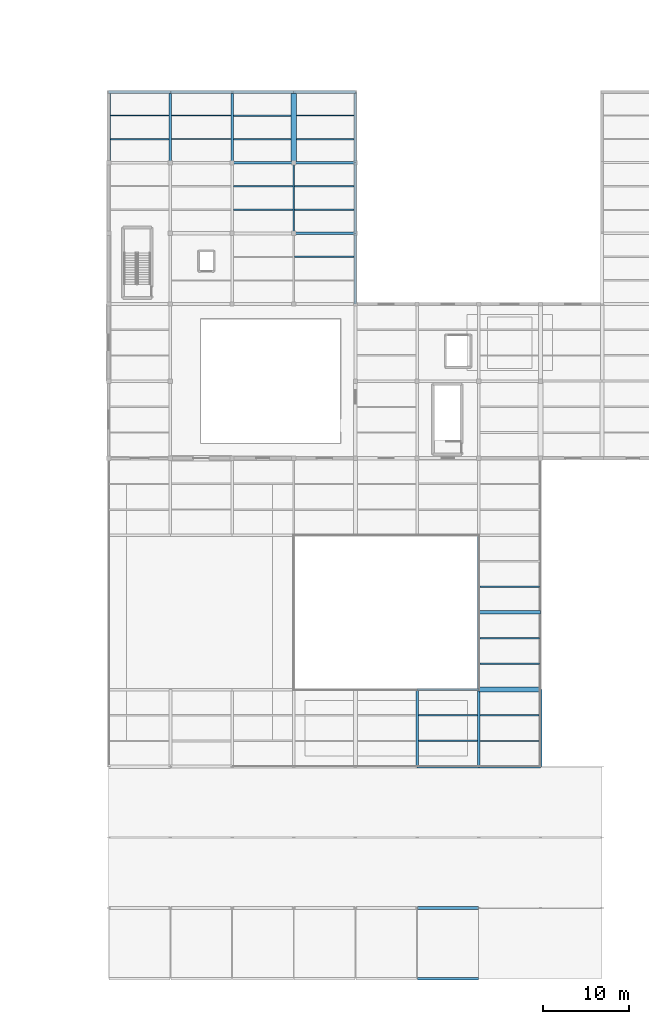
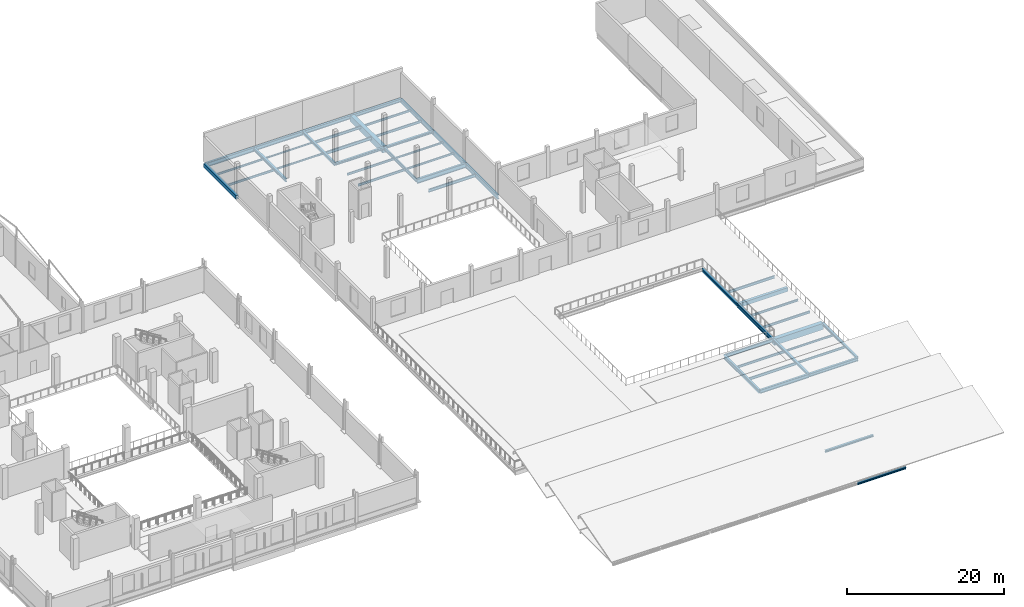
# One storey, part 18 of 54: 47 beams.
"""IFC4 building model written with IfcOpenShell, lengths in metres."""

from ifc_helpers import new_model, si_unit, direction, frame, origin, origin_2d, place, context, subcontext, project, spatial, rectangle, i_section, extrude, material, material_profile, profile_set, type_object, element, save


model = new_model("IFC4")

# Units and contexts
model_context = context("Model", 3, precision=1e-05, world=origin(), true_north=direction((0.0, 1.0)))
body_context = subcontext(model_context, "Body", "Model", "MODEL_VIEW")
ifc_project = project(units=[si_unit("LENGTHUNIT", "METRE"), si_unit("AREAUNIT", "SQUARE_METRE"), si_unit("VOLUMEUNIT", "CUBIC_METRE"), si_unit("PLANEANGLEUNIT", "RADIAN"), si_unit("MASSUNIT", "GRAM", prefix="KILO")], contexts=[model_context])

# Site, building, storey
site_placement = place(None, origin())
site = spatial("IfcSite", under=ifc_project, at=site_placement, CompositionType="ELEMENT")
building_placement = place(site_placement, origin())
building = spatial("IfcBuilding", under=site, at=building_placement, Name="Sundgate Opera House", CompositionType="ELEMENT")
storey_placement = place(building_placement, frame((0.0, 0.0, 16.800048828125)))
storey = spatial("IfcBuildingStorey", under=building, at=storey_placement, Name="L03", CompositionType="ELEMENT", Elevation=16.800048828125)

# Beams
ifc_material_1 = material(Name="Steel S355J2", Category="steel")
ifc_material_profile_1 = material_profile(ifc_material_1, i_section(OverallWidth=0.300048828125, OverallDepth=0.330078125, WebThickness=0.009521484375, FlangeThickness=0.0166015625, at=origin_2d()), Name="HEA 340")
ifc_profile_set_1 = profile_set([ifc_material_profile_1], Name="Steel S355J2")
beam_type_1 = type_object("IfcBeamType", Name="BM-GR-HEA340", PredefinedType="BEAM", material=ifc_profile_set_1)
beam_1_placement = place(storey_placement, frame((145.800048828125, 33.0, -0.47509765625), z_axis=(0.0, 1.0, 0.0), x_axis=(-1.0, 0.0, 0.0)))
element("IfcBeam", 1, at=beam_1_placement, inside=storey, type_object=beam_type_1, Name="L03 Primary N-S Girder B2556", PredefinedType="BEAM", context=body_context, shape_type="SweptSolid", body=[
    extrude(i_section(OverallWidth=0.300048828125, OverallDepth=0.330078125, WebThickness=0.009521484375, FlangeThickness=0.0166015625, at=origin_2d()), origin(), (0.0, 0.0, 1.0), 9.0),
])
beam_2_placement = place(storey_placement, frame((117.0, 103.5, -0.445068359375), z_axis=(1.0, 0.0, 0.0), x_axis=(0.0, 1.0, 0.0)))
element("IfcBeam", 2, at=beam_2_placement, inside=storey, type_object=beam_type_1, Name="L03 Primary E-W Girder B2688", PredefinedType="BEAM", context=body_context, shape_type="SweptSolid", body=[
    extrude(i_section(OverallWidth=0.300048828125, OverallDepth=0.330078125, WebThickness=0.009521484375, FlangeThickness=0.0166015625, at=origin_2d()), origin(), (0.0, 0.0, 1.0), 7.199951171875),
])
ifc_material_2 = material(Name="Steel S355J2", Category="steel")
ifc_material_profile_2 = material_profile(ifc_material_2, i_section(OverallWidth=0.300048828125, OverallDepth=0.35009765625, WebThickness=0.010009765625, FlangeThickness=0.017578125, at=origin_2d()), Name="HEA 360")
ifc_profile_set_2 = profile_set([ifc_material_profile_2], Name="Steel S355J2")
beam_type_2 = type_object("IfcBeamType", Name="BM-GR-HEA360", PredefinedType="BEAM", material=ifc_profile_set_2)
beam_3_placement = place(storey_placement, frame((109.800048828125, 103.5, -0.455078125), z_axis=(1.0, 0.0, 0.0), x_axis=(0.0, 1.0, 0.0)))
element("IfcBeam", 3, at=beam_3_placement, inside=storey, type_object=beam_type_2, Name="L03 Primary E-W Girder B2687", PredefinedType="BEAM", context=body_context, shape_type="SweptSolid", body=[
    extrude(i_section(OverallWidth=0.300048828125, OverallDepth=0.35009765625, WebThickness=0.010009765625, FlangeThickness=0.017578125, at=origin_2d()), origin(), (0.0, 0.0, 1.0), 7.199951171875),
])
ifc_material_3 = material(Name="Steel S355J2", Category="steel")
ifc_material_profile_3 = material_profile(ifc_material_3, i_section(OverallWidth=0.300048828125, OverallDepth=0.43994140625, WebThickness=0.011474609375, FlangeThickness=0.02099609375, at=origin_2d()), Name="HEA 450")
ifc_profile_set_3 = profile_set([ifc_material_profile_3], Name="Steel S355J2")
beam_type_3 = type_object("IfcBeamType", Name="BM-GR-HEA450", PredefinedType="BEAM", material=ifc_profile_set_3)
beam_4_placement = place(storey_placement, frame((109.800048828125, 103.5, -0.5), z_axis=(0.0, 1.0, 0.0), x_axis=(-1.0, 0.0, 0.0)))
element("IfcBeam", 4, at=beam_4_placement, inside=storey, type_object=beam_type_3, Name="L03 Primary N-S Girder B2531", PredefinedType="BEAM", context=body_context, shape_type="SweptSolid", body=[
    extrude(i_section(OverallWidth=0.300048828125, OverallDepth=0.43994140625, WebThickness=0.011474609375, FlangeThickness=0.02099609375, at=origin_2d()), origin(), (0.0, 0.0, 1.0), 8.25),
])
ifc_material_4 = material(Name="Steel S355J2", Category="steel")
ifc_material_profile_4 = material_profile(ifc_material_4, i_section(OverallWidth=0.300048828125, OverallDepth=0.489990234375, WebThickness=0.011962890625, FlangeThickness=0.02294921875, at=origin_2d()), Name="HEA 500")
ifc_profile_set_4 = profile_set([ifc_material_profile_4], Name="Steel S355J2")
beam_type_4 = type_object("IfcBeamType", Name="BM-GR-HEA500", PredefinedType="BEAM", material=ifc_profile_set_4)
beam_5_placement = place(storey_placement, frame((138.60009765625, 51.0, -0.554931640625), z_axis=(0.0, 1.0, 0.0), x_axis=(-1.0, 0.0, 0.0)))
element("IfcBeam", 5, at=beam_5_placement, inside=storey, type_object=beam_type_4, Name="L03 Primary N-S Girder B2552", PredefinedType="BEAM", context=body_context, shape_type="SweptSolid", body=[
    extrude(i_section(OverallWidth=0.300048828125, OverallDepth=0.489990234375, WebThickness=0.011962890625, FlangeThickness=0.02294921875, at=origin_2d()), origin(), (0.0, 0.0, 1.0), 9.0),
])
ifc_material_5 = material(Name="Steel S355J2", Category="steel")
ifc_material_profile_5 = material_profile(ifc_material_5, i_section(OverallWidth=0.300048828125, OverallDepth=0.590087890625, WebThickness=0.012939453125, FlangeThickness=0.02490234375, at=origin_2d()), Name="HEA 600")
ifc_profile_set_5 = profile_set([ifc_material_profile_5], Name="Steel S355J2")
beam_type_5 = type_object("IfcBeamType", Name="BM-GR-HEA600", PredefinedType="BEAM", material=ifc_profile_set_5)
beam_6_placement = place(storey_placement, frame((138.60009765625, 42.0, -0.60498046875), z_axis=(0.0, 1.0, 0.0), x_axis=(-1.0, 0.0, 0.0)))
element("IfcBeam", 6, at=beam_6_placement, inside=storey, type_object=beam_type_5, Name="L03 Primary N-S Girder B2551", PredefinedType="BEAM", context=body_context, shape_type="SweptSolid", body=[
    extrude(i_section(OverallWidth=0.300048828125, OverallDepth=0.590087890625, WebThickness=0.012939453125, FlangeThickness=0.02490234375, at=origin_2d()), origin(), (0.0, 0.0, 1.0), 9.0),
])
ifc_material_6 = material(Name="Steel S355J2", Category="steel")
ifc_material_profile_6 = material_profile(ifc_material_6, i_section(OverallWidth=0.300048828125, OverallDepth=0.360107421875, WebThickness=0.012451171875, FlangeThickness=0.0224609375, at=origin_2d()), Name="HEB 360")
ifc_profile_set_6 = profile_set([ifc_material_profile_6], Name="Steel S355J2")
beam_type_6 = type_object("IfcBeamType", Name="BM-GR-HEB360", PredefinedType="BEAM", material=ifc_profile_set_6)
beam_7_placement = place(storey_placement, frame((138.60009765625, 33.0, -0.489990234375), z_axis=(0.0, 1.0, 0.0), x_axis=(-1.0, 0.0, 0.0)))
element("IfcBeam", 7, at=beam_7_placement, inside=storey, type_object=beam_type_6, Name="L03 Primary N-S Girder B2550", PredefinedType="BEAM", context=body_context, shape_type="SweptSolid", body=[
    extrude(i_section(OverallWidth=0.300048828125, OverallDepth=0.360107421875, WebThickness=0.012451171875, FlangeThickness=0.0224609375, at=origin_2d()), origin(), (0.0, 0.0, 1.0), 9.0),
])
ifc_material_7 = material(Name="Steel S355J2", Category="steel")
ifc_material_profile_7 = material_profile(ifc_material_7, i_section(OverallWidth=0.300048828125, OverallDepth=0.449951171875, WebThickness=0.013916015625, FlangeThickness=0.02587890625, at=origin_2d()), Name="HEB 450")
ifc_profile_set_7 = profile_set([ifc_material_profile_7], Name="Steel S355J2")
beam_type_7 = type_object("IfcBeamType", Name="BM-GR-HEB450", PredefinedType="BEAM", material=ifc_profile_set_7)
beam_8_placement = place(storey_placement, frame((102.60009765625, 103.5, -0.505126953125), z_axis=(0.0, 1.0, 0.0), x_axis=(-1.0, 0.0, 0.0)))
element("IfcBeam", 8, at=beam_8_placement, inside=storey, type_object=beam_type_7, Name="L03 Primary N-S Girder B2526", PredefinedType="BEAM", context=body_context, shape_type="SweptSolid", body=[
    extrude(i_section(OverallWidth=0.300048828125, OverallDepth=0.449951171875, WebThickness=0.013916015625, FlangeThickness=0.02587890625, at=origin_2d()), origin(), (0.0, 0.0, 1.0), 8.25),
])
ifc_material_8 = material(Name="Steel S355J2", Category="steel")
ifc_material_profile_8 = material_profile(ifc_material_8, i_section(OverallWidth=0.300048828125, OverallDepth=0.5, WebThickness=0.014404296875, FlangeThickness=0.028076171875, at=origin_2d()), Name="HEB 500")
ifc_profile_set_8 = profile_set([ifc_material_profile_8], Name="Steel S355J2")
beam_type_8 = type_object("IfcBeamType", Name="BM-GR-HEB500", PredefinedType="BEAM", material=ifc_profile_set_8)
for number, where, z_axis, x_axis, name in (
    (9, (138.60009765625, 33.0, -0.56005859375), (1.0, 0.0, 0.0), (0.0, 1.0, 0.0), "L03 Primary E-W Girder B2591"),
    (10, (117.0, 111.75, -0.530029296875), (1.0, 0.0, 0.0), (0.0, 1.0, 0.0), "L03 Primary E-W Girder B2701"),
):
    element("IfcBeam", number, at=place(storey_placement, frame(where, z_axis=z_axis, x_axis=x_axis)), inside=storey, type_object=beam_type_8, Name=name, PredefinedType="BEAM", context=body_context, shape_type="SweptSolid", body=[
        extrude(i_section(OverallWidth=0.300048828125, OverallDepth=0.5, WebThickness=0.014404296875, FlangeThickness=0.028076171875, at=origin_2d()), origin(), (0.0, 0.0, 1.0), 7.199951171875),
    ])
ifc_material_9 = material(Name="Steel S355J2", Category="steel")
ifc_material_profile_9 = material_profile(ifc_material_9, i_section(OverallWidth=0.300048828125, OverallDepth=0.550048828125, WebThickness=0.014892578125, FlangeThickness=0.029052734375, at=origin_2d()), Name="HEB 550")
ifc_profile_set_9 = profile_set([ifc_material_profile_9], Name="Steel S355J2")
beam_type_9 = type_object("IfcBeamType", Name="BM-GR-HEB550", PredefinedType="BEAM", material=ifc_profile_set_9)
beam_9_placement = place(storey_placement, frame((131.39990234375, 33.0, -0.5849609375), z_axis=(0.0, 1.0, 0.0), x_axis=(-1.0, 0.0, 0.0)))
element("IfcBeam", 11, at=beam_9_placement, inside=storey, type_object=beam_type_9, Name="L03 Primary N-S Girder B2546", PredefinedType="BEAM", context=body_context, shape_type="SweptSolid", body=[
    extrude(i_section(OverallWidth=0.300048828125, OverallDepth=0.550048828125, WebThickness=0.014892578125, FlangeThickness=0.029052734375, at=origin_2d()), origin(), (0.0, 0.0, 1.0), 9.0),
])
beam_10_placement = place(storey_placement, frame((131.39990234375, 33.0, -0.5849609375), z_axis=(1.0, 0.0, 0.0), x_axis=(0.0, 1.0, 0.0)))
element("IfcBeam", 12, at=beam_10_placement, inside=storey, type_object=beam_type_9, Name="L03 Primary E-W Girder B2590", PredefinedType="BEAM", context=body_context, shape_type="SweptSolid", body=[
    extrude(i_section(OverallWidth=0.300048828125, OverallDepth=0.550048828125, WebThickness=0.014892578125, FlangeThickness=0.029052734375, at=origin_2d()), origin(), (0.0, 0.0, 1.0), 7.2001953125),
])
beam_11_placement = place(storey_placement, frame((109.800048828125, 111.75, -0.554931640625), z_axis=(1.0, 0.0, 0.0), x_axis=(0.0, 1.0, 0.0)))
element("IfcBeam", 13, at=beam_11_placement, inside=storey, type_object=beam_type_9, Name="L03 Primary E-W Girder B2700", PredefinedType="BEAM", context=body_context, shape_type="SweptSolid", body=[
    extrude(i_section(OverallWidth=0.300048828125, OverallDepth=0.550048828125, WebThickness=0.014892578125, FlangeThickness=0.029052734375, at=origin_2d()), origin(), (0.0, 0.0, 1.0), 7.199951171875),
])
ifc_material_10 = material(Name="Steel S355J2", Category="steel")
ifc_material_profile_10 = material_profile(ifc_material_10, i_section(OverallWidth=0.300048828125, OverallDepth=0.60009765625, WebThickness=0.015380859375, FlangeThickness=0.030029296875, at=origin_2d()), Name="HEB 600")
ifc_profile_set_10 = profile_set([ifc_material_profile_10], Name="Steel S355J2")
beam_type_10 = type_object("IfcBeamType", Name="BM-GR-HEB600", PredefinedType="BEAM", material=ifc_profile_set_10)
beam_12_placement = place(storey_placement, frame((124.199951171875, 103.5, -0.580078125), z_axis=(0.0, 1.0, 0.0), x_axis=(-1.0, 0.0, 0.0)))
element("IfcBeam", 14, at=beam_12_placement, inside=storey, type_object=beam_type_10, Name="L03 Primary N-S Girder B2545", PredefinedType="BEAM", context=body_context, shape_type="SweptSolid", body=[
    extrude(i_section(OverallWidth=0.300048828125, OverallDepth=0.60009765625, WebThickness=0.015380859375, FlangeThickness=0.030029296875, at=origin_2d()), origin(), (0.0, 0.0, 1.0), 8.25),
])
beam_13_placement = place(storey_placement, frame((102.60009765625, 111.75, -0.580078125), z_axis=(1.0, 0.0, 0.0), x_axis=(0.0, 1.0, 0.0)))
element("IfcBeam", 15, at=beam_13_placement, inside=storey, type_object=beam_type_10, Name="L03 Primary E-W Girder B2699", PredefinedType="BEAM", context=body_context, shape_type="SweptSolid", body=[
    extrude(i_section(OverallWidth=0.300048828125, OverallDepth=0.60009765625, WebThickness=0.015380859375, FlangeThickness=0.030029296875, at=origin_2d()), origin(), (0.0, 0.0, 1.0), 7.199951171875),
])
ifc_material_11 = material(Name="Steel S355J2", Category="steel")
ifc_material_profile_11 = material_profile(ifc_material_11, i_section(OverallWidth=0.300048828125, OverallDepth=0.64990234375, WebThickness=0.01611328125, FlangeThickness=0.031005859375, at=origin_2d()), Name="HEB 650")
ifc_profile_set_11 = profile_set([ifc_material_profile_11], Name="Steel S355J2")
beam_type_11 = type_object("IfcBeamType", Name="BM-GR-HEB650", PredefinedType="BEAM", material=ifc_profile_set_11)
beam_14_placement = place(storey_placement, frame((124.199951171875, 95.25, -0.60498046875), z_axis=(0.0, 1.0, 0.0), x_axis=(-1.0, 0.0, 0.0)))
element("IfcBeam", 16, at=beam_14_placement, inside=storey, type_object=beam_type_11, Name="L03 Primary N-S Girder B2544", PredefinedType="BEAM", context=body_context, shape_type="SweptSolid", body=[
    extrude(i_section(OverallWidth=0.300048828125, OverallDepth=0.64990234375, WebThickness=0.01611328125, FlangeThickness=0.031005859375, at=origin_2d()), origin(), (0.0, 0.0, 1.0), 8.25),
])
beam_15_placement = place(storey_placement, frame((95.39990234375, 111.75, -0.60498046875), z_axis=(1.0, 0.0, 0.0), x_axis=(0.0, 1.0, 0.0)))
element("IfcBeam", 17, at=beam_15_placement, inside=storey, type_object=beam_type_11, Name="L03 Primary E-W Girder B2698", PredefinedType="BEAM", context=body_context, shape_type="SweptSolid", body=[
    extrude(i_section(OverallWidth=0.300048828125, OverallDepth=0.64990234375, WebThickness=0.01611328125, FlangeThickness=0.031005859375, at=origin_2d()), origin(), (0.0, 0.0, 1.0), 7.2001953125),
])
ifc_material_12 = material(Name="Steel S355J2", Category="steel")
ifc_material_profile_12 = material_profile(ifc_material_12, i_section(OverallWidth=0.300048828125, OverallDepth=0.699951171875, WebThickness=0.01708984375, FlangeThickness=0.031982421875, at=origin_2d()), Name="HEB 700")
ifc_profile_set_12 = profile_set([ifc_material_profile_12], Name="Steel S355J2")
beam_type_12 = type_object("IfcBeamType", Name="BM-GR-HEB700", PredefinedType="BEAM", material=ifc_profile_set_12)
beam_16_placement = place(storey_placement, frame((124.199951171875, 87.0, -0.630126953125), z_axis=(0.0, 1.0, 0.0), x_axis=(-1.0, 0.0, 0.0)))
element("IfcBeam", 18, at=beam_16_placement, inside=storey, type_object=beam_type_12, Name="L03 Primary N-S Girder B2543", PredefinedType="BEAM", context=body_context, shape_type="SweptSolid", body=[
    extrude(i_section(OverallWidth=0.300048828125, OverallDepth=0.699951171875, WebThickness=0.01708984375, FlangeThickness=0.031982421875, at=origin_2d()), origin(), (0.0, 0.0, 1.0), 8.25),
])
beam_17_placement = place(storey_placement, frame((117.0, 95.25, -0.630126953125), z_axis=(1.0, 0.0, 0.0), x_axis=(0.0, 1.0, 0.0)))
element("IfcBeam", 19, at=beam_17_placement, inside=storey, type_object=beam_type_12, Name="L03 Primary E-W Girder B2675", PredefinedType="BEAM", context=body_context, shape_type="SweptSolid", body=[
    extrude(i_section(OverallWidth=0.300048828125, OverallDepth=0.699951171875, WebThickness=0.01708984375, FlangeThickness=0.031982421875, at=origin_2d()), origin(), (0.0, 0.0, 1.0), 7.199951171875),
])
ifc_material_13 = material(Name="Steel S355J2", Category="steel")
ifc_material_profile_13 = material_profile(ifc_material_13, i_section(OverallWidth=0.199951171875, OverallDepth=0.5, WebThickness=0.01025390625, FlangeThickness=0.01611328125, at=origin_2d()), Name="IPE 500")
ifc_profile_set_13 = profile_set([ifc_material_profile_13], Name="Steel S355J2")
beam_type_13 = type_object("IfcBeamType", Name="BM-GR-IPE500", PredefinedType="BEAM", material=ifc_profile_set_13)
beam_18_placement = place(storey_placement, frame((117.0, 95.25, -0.530029296875), z_axis=(0.0, 1.0, 0.0), x_axis=(-1.0, 0.0, 0.0)))
element("IfcBeam", 20, at=beam_18_placement, inside=storey, type_object=beam_type_13, Name="L03 Primary N-S Girder B2537", PredefinedType="BEAM", context=body_context, shape_type="SweptSolid", body=[
    extrude(i_section(OverallWidth=0.199951171875, OverallDepth=0.5, WebThickness=0.01025390625, FlangeThickness=0.01611328125, at=origin_2d()), origin(), (0.0, 0.0, 1.0), 8.25),
])
beam_19_placement = place(storey_placement, frame((131.39990234375, 42.0, -0.56005859375), z_axis=(1.0, 0.0, 0.0), x_axis=(0.0, 1.0, 0.0)))
element("IfcBeam", 21, at=beam_19_placement, inside=storey, type_object=beam_type_13, Name="L03 Primary E-W Girder B2603", PredefinedType="BEAM", context=body_context, shape_type="SweptSolid", body=[
    extrude(i_section(OverallWidth=0.199951171875, OverallDepth=0.5, WebThickness=0.01025390625, FlangeThickness=0.01611328125, at=origin_2d()), origin(), (0.0, 0.0, 1.0), 7.2001953125),
])
ifc_material_14 = material(Name="Steel S355J2", Category="steel")
ifc_material_profile_14 = material_profile(ifc_material_14, i_section(OverallWidth=0.1201171875, OverallDepth=0.239990234375, WebThickness=0.006103515625, FlangeThickness=0.009765625, at=origin_2d()), Name="IPE 240")
ifc_profile_set_14 = profile_set([ifc_material_profile_14], Name="Steel S355J2")
beam_type_14 = type_object("IfcBeamType", Name="BM-JS-IPE240", PredefinedType="JOIST", material=ifc_profile_set_14)
beam_20_placement = place(storey_placement, frame((102.75, 109.0, -0.400146484375), z_axis=(1.0, 0.0, 0.0), x_axis=(0.0, 1.0, 0.0)))
element("IfcBeam", 22, at=beam_20_placement, inside=storey, type_object=beam_type_14, Name="L03 Secondary Floor Joist B2873", PredefinedType="JOIST", context=body_context, shape_type="SweptSolid", body=[
    extrude(i_section(OverallWidth=0.1201171875, OverallDepth=0.239990234375, WebThickness=0.006103515625, FlangeThickness=0.009765625, at=origin_2d()), origin(), (0.0, 0.0, 1.0), 6.89990234375),
])
ifc_material_15 = material(Name="Steel S355J2", Category="steel")
ifc_material_profile_15 = material_profile(ifc_material_15, i_section(OverallWidth=0.135009765625, OverallDepth=0.27001953125, WebThickness=0.006591796875, FlangeThickness=0.01025390625, at=origin_2d()), Name="IPE 270")
ifc_profile_set_15 = profile_set([ifc_material_profile_15], Name="Steel S355J2")
beam_type_15 = type_object("IfcBeamType", Name="BM-JS-IPE270", PredefinedType="JOIST", material=ifc_profile_set_15)
beam_21_placement = place(storey_placement, frame((117.10009765625, 100.75, -0.4150390625), z_axis=(1.0, 0.0, 0.0), x_axis=(0.0, 1.0, 0.0)))
element("IfcBeam", 23, at=beam_21_placement, inside=storey, type_object=beam_type_15, Name="L03 Secondary Floor Joist B2851", PredefinedType="JOIST", context=body_context, shape_type="SweptSolid", body=[
    extrude(i_section(OverallWidth=0.135009765625, OverallDepth=0.27001953125, WebThickness=0.006591796875, FlangeThickness=0.01025390625, at=origin_2d()), origin(), (0.0, 0.0, 1.0), 6.949951171875),
])
beam_22_placement = place(storey_placement, frame((102.75, 106.25, -0.4150390625), z_axis=(1.0, 0.0, 0.0), x_axis=(0.0, 1.0, 0.0)))
element("IfcBeam", 24, at=beam_22_placement, inside=storey, type_object=beam_type_15, Name="L03 Secondary Floor Joist B2872", PredefinedType="JOIST", context=body_context, shape_type="SweptSolid", body=[
    extrude(i_section(OverallWidth=0.135009765625, OverallDepth=0.27001953125, WebThickness=0.006591796875, FlangeThickness=0.01025390625, at=origin_2d()), origin(), (0.0, 0.0, 1.0), 6.89990234375),
])
ifc_material_16 = material(Name="Steel S355J2", Category="steel")
ifc_material_profile_16 = material_profile(ifc_material_16, i_section(OverallWidth=0.14990234375, OverallDepth=0.300048828125, WebThickness=0.007080078125, FlangeThickness=0.0107421875, at=origin_2d()), Name="IPE 300")
ifc_profile_set_16 = profile_set([ifc_material_profile_16], Name="Steel S355J2")
beam_type_16 = type_object("IfcBeamType", Name="BM-JS-IPE300", PredefinedType="JOIST", material=ifc_profile_set_16)
beam_23_placement = place(storey_placement, frame((138.75, 39.0, -0.4599609375), z_axis=(1.0, 0.0, 0.0), x_axis=(0.0, 1.0, 0.0)))
element("IfcBeam", 25, at=beam_23_placement, inside=storey, type_object=beam_type_16, Name="L03 Secondary Floor Joist B2731", PredefinedType="JOIST", context=body_context, shape_type="SweptSolid", body=[
    extrude(i_section(OverallWidth=0.14990234375, OverallDepth=0.300048828125, WebThickness=0.007080078125, FlangeThickness=0.0107421875, at=origin_2d()), origin(), (0.0, 0.0, 1.0), 6.89990234375),
])
beam_24_placement = place(storey_placement, frame((117.10009765625, 98.0, -0.429931640625), z_axis=(1.0, 0.0, 0.0), x_axis=(0.0, 1.0, 0.0)))
element("IfcBeam", 26, at=beam_24_placement, inside=storey, type_object=beam_type_16, Name="L03 Secondary Floor Joist B2850", PredefinedType="JOIST", context=body_context, shape_type="SweptSolid", body=[
    extrude(i_section(OverallWidth=0.14990234375, OverallDepth=0.300048828125, WebThickness=0.007080078125, FlangeThickness=0.0107421875, at=origin_2d()), origin(), (0.0, 0.0, 1.0), 6.949951171875),
])
beam_25_placement = place(storey_placement, frame((95.60009765625, 109.0, -0.429931640625), z_axis=(1.0, 0.0, 0.0), x_axis=(0.0, 1.0, 0.0)))
element("IfcBeam", 27, at=beam_25_placement, inside=storey, type_object=beam_type_16, Name="L03 Secondary Floor Joist B2871", PredefinedType="JOIST", context=body_context, shape_type="SweptSolid", body=[
    extrude(i_section(OverallWidth=0.14990234375, OverallDepth=0.300048828125, WebThickness=0.007080078125, FlangeThickness=0.0107421875, at=origin_2d()), origin(), (0.0, 0.0, 1.0), 6.849853515625),
])
ifc_material_17 = material(Name="Steel S355J2", Category="steel")
ifc_material_profile_17 = material_profile(ifc_material_17, i_section(OverallWidth=0.159912109375, OverallDepth=0.330078125, WebThickness=0.007568359375, FlangeThickness=0.011474609375, at=origin_2d()), Name="IPE 330")
ifc_profile_set_17 = profile_set([ifc_material_profile_17], Name="Steel S355J2")
beam_type_17 = type_object("IfcBeamType", Name="BM-JS-IPE330", PredefinedType="JOIST", material=ifc_profile_set_17)
beam_26_placement = place(storey_placement, frame((138.75, 36.0, -0.47509765625), z_axis=(1.0, 0.0, 0.0), x_axis=(0.0, 1.0, 0.0)))
element("IfcBeam", 28, at=beam_26_placement, inside=storey, type_object=beam_type_17, Name="L03 Secondary Floor Joist B2730", PredefinedType="JOIST", context=body_context, shape_type="SweptSolid", body=[
    extrude(i_section(OverallWidth=0.159912109375, OverallDepth=0.330078125, WebThickness=0.007568359375, FlangeThickness=0.011474609375, at=origin_2d()), origin(), (0.0, 0.0, 1.0), 6.89990234375),
])
beam_27_placement = place(storey_placement, frame((138.75, 48.0, -0.47509765625), z_axis=(1.0, 0.0, 0.0), x_axis=(0.0, 1.0, 0.0)))
element("IfcBeam", 29, at=beam_27_placement, inside=storey, type_object=beam_type_17, Name="L03 Secondary Floor Joist B2737", PredefinedType="JOIST", context=body_context, shape_type="SweptSolid", body=[
    extrude(i_section(OverallWidth=0.159912109375, OverallDepth=0.330078125, WebThickness=0.007568359375, FlangeThickness=0.011474609375, at=origin_2d()), origin(), (0.0, 0.0, 1.0), 6.93994140625),
])
beam_28_placement = place(storey_placement, frame((109.949951171875, 100.75, -0.445068359375), z_axis=(1.0, 0.0, 0.0), x_axis=(0.0, 1.0, 0.0)))
element("IfcBeam", 30, at=beam_28_placement, inside=storey, type_object=beam_type_17, Name="L03 Secondary Floor Joist B2849", PredefinedType="JOIST", context=body_context, shape_type="SweptSolid", body=[
    extrude(i_section(OverallWidth=0.159912109375, OverallDepth=0.330078125, WebThickness=0.007568359375, FlangeThickness=0.011474609375, at=origin_2d()), origin(), (0.0, 0.0, 1.0), 6.949951171875),
])
beam_29_placement = place(storey_placement, frame((95.60009765625, 106.25, -0.445068359375), z_axis=(1.0, 0.0, 0.0), x_axis=(0.0, 1.0, 0.0)))
element("IfcBeam", 31, at=beam_29_placement, inside=storey, type_object=beam_type_17, Name="L03 Secondary Floor Joist B2870", PredefinedType="JOIST", context=body_context, shape_type="SweptSolid", body=[
    extrude(i_section(OverallWidth=0.159912109375, OverallDepth=0.330078125, WebThickness=0.007568359375, FlangeThickness=0.011474609375, at=origin_2d()), origin(), (0.0, 0.0, 1.0), 6.849853515625),
])
beam_30_placement = place(storey_placement, frame((117.300048828125, 109.0, -0.445068359375), z_axis=(1.0, 0.0, 0.0), x_axis=(0.0, 1.0, 0.0)))
element("IfcBeam", 32, at=beam_30_placement, inside=storey, type_object=beam_type_17, Name="L03 Secondary Floor Joist B2877", PredefinedType="JOIST", context=body_context, shape_type="SweptSolid", body=[
    extrude(i_section(OverallWidth=0.159912109375, OverallDepth=0.330078125, WebThickness=0.007568359375, FlangeThickness=0.011474609375, at=origin_2d()), origin(), (0.0, 0.0, 1.0), 6.75),
])
ifc_material_18 = material(Name="Steel S355J2", Category="steel")
ifc_material_profile_18 = material_profile(ifc_material_18, i_section(OverallWidth=0.169921875, OverallDepth=0.360107421875, WebThickness=0.008056640625, FlangeThickness=0.0126953125, at=origin_2d()), Name="IPE 360")
ifc_profile_set_18 = profile_set([ifc_material_profile_18], Name="Steel S355J2")
beam_type_18 = type_object("IfcBeamType", Name="BM-JS-IPE360", PredefinedType="JOIST", material=ifc_profile_set_18)
beam_31_placement = place(storey_placement, frame((131.550048828125, 39.0, -0.489990234375), z_axis=(1.0, 0.0, 0.0), x_axis=(0.0, 1.0, 0.0)))
element("IfcBeam", 33, at=beam_31_placement, inside=storey, type_object=beam_type_18, Name="L03 Secondary Floor Joist B2729", PredefinedType="JOIST", context=body_context, shape_type="SweptSolid", body=[
    extrude(i_section(OverallWidth=0.169921875, OverallDepth=0.360107421875, WebThickness=0.008056640625, FlangeThickness=0.0126953125, at=origin_2d()), origin(), (0.0, 0.0, 1.0), 6.89990234375),
])
beam_32_placement = place(storey_placement, frame((138.75, 45.0, -0.489990234375), z_axis=(1.0, 0.0, 0.0), x_axis=(0.0, 1.0, 0.0)))
element("IfcBeam", 34, at=beam_32_placement, inside=storey, type_object=beam_type_18, Name="L03 Secondary Floor Joist B2736", PredefinedType="JOIST", context=body_context, shape_type="SweptSolid", body=[
    extrude(i_section(OverallWidth=0.169921875, OverallDepth=0.360107421875, WebThickness=0.008056640625, FlangeThickness=0.0126953125, at=origin_2d()), origin(), (0.0, 0.0, 1.0), 6.93994140625),
])
beam_33_placement = place(storey_placement, frame((109.949951171875, 98.0, -0.4599609375), z_axis=(1.0, 0.0, 0.0), x_axis=(0.0, 1.0, 0.0)))
element("IfcBeam", 35, at=beam_33_placement, inside=storey, type_object=beam_type_18, Name="L03 Secondary Floor Joist B2848", PredefinedType="JOIST", context=body_context, shape_type="SweptSolid", body=[
    extrude(i_section(OverallWidth=0.169921875, OverallDepth=0.360107421875, WebThickness=0.008056640625, FlangeThickness=0.0126953125, at=origin_2d()), origin(), (0.0, 0.0, 1.0), 6.949951171875),
])
beam_34_placement = place(storey_placement, frame((117.300048828125, 106.25, -0.4599609375), z_axis=(1.0, 0.0, 0.0), x_axis=(0.0, 1.0, 0.0)))
element("IfcBeam", 36, at=beam_34_placement, inside=storey, type_object=beam_type_18, Name="L03 Secondary Floor Joist B2876", PredefinedType="JOIST", context=body_context, shape_type="SweptSolid", body=[
    extrude(i_section(OverallWidth=0.169921875, OverallDepth=0.360107421875, WebThickness=0.008056640625, FlangeThickness=0.0126953125, at=origin_2d()), origin(), (0.0, 0.0, 1.0), 6.75),
])
ifc_material_19 = material(Name="Steel S355J2", Category="steel")
ifc_material_profile_19 = material_profile(ifc_material_19, i_section(OverallWidth=0.179931640625, OverallDepth=0.39990234375, WebThickness=0.008544921875, FlangeThickness=0.013427734375, at=origin_2d()), Name="IPE 400")
ifc_profile_set_19 = profile_set([ifc_material_profile_19], Name="Steel S355J2")
beam_type_19 = type_object("IfcBeamType", Name="BM-JS-IPE400", PredefinedType="JOIST", material=ifc_profile_set_19)
beam_35_placement = place(storey_placement, frame((131.550048828125, 36.0, -0.510009765625), z_axis=(1.0, 0.0, 0.0), x_axis=(0.0, 1.0, 0.0)))
element("IfcBeam", 37, at=beam_35_placement, inside=storey, type_object=beam_type_19, Name="L03 Secondary Floor Joist B2728", PredefinedType="JOIST", context=body_context, shape_type="SweptSolid", body=[
    extrude(i_section(OverallWidth=0.179931640625, OverallDepth=0.39990234375, WebThickness=0.008544921875, FlangeThickness=0.013427734375, at=origin_2d()), origin(), (0.0, 0.0, 1.0), 6.89990234375),
])
beam_36_placement = place(storey_placement, frame((138.75, 54.0, -0.510009765625), z_axis=(1.0, 0.0, 0.0), x_axis=(0.0, 1.0, 0.0)))
element("IfcBeam", 38, at=beam_36_placement, inside=storey, type_object=beam_type_19, Name="L03 Secondary Floor Joist B2742", PredefinedType="JOIST", context=body_context, shape_type="SweptSolid", body=[
    extrude(i_section(OverallWidth=0.179931640625, OverallDepth=0.39990234375, WebThickness=0.008544921875, FlangeThickness=0.013427734375, at=origin_2d()), origin(), (0.0, 0.0, 1.0), 6.945068359375),
])
beam_37_placement = place(storey_placement, frame((109.949951171875, 109.0, -0.47998046875), z_axis=(1.0, 0.0, 0.0), x_axis=(0.0, 1.0, 0.0)))
element("IfcBeam", 39, at=beam_37_placement, inside=storey, type_object=beam_type_19, Name="L03 Secondary Floor Joist B2875", PredefinedType="JOIST", context=body_context, shape_type="SweptSolid", body=[
    extrude(i_section(OverallWidth=0.179931640625, OverallDepth=0.39990234375, WebThickness=0.008544921875, FlangeThickness=0.013427734375, at=origin_2d()), origin(), (0.0, 0.0, 1.0), 6.75),
])
ifc_material_20 = material(Name="Steel S355J2", Category="steel")
ifc_material_profile_20 = material_profile(ifc_material_20, i_section(OverallWidth=0.18994140625, OverallDepth=0.449951171875, WebThickness=0.009521484375, FlangeThickness=0.0146484375, at=origin_2d()), Name="IPE 450")
ifc_profile_set_20 = profile_set([ifc_material_profile_20], Name="Steel S355J2")
beam_type_20 = type_object("IfcBeamType", Name="BM-JS-IPE450", PredefinedType="JOIST", material=ifc_profile_set_20)
beam_38_placement = place(storey_placement, frame((117.10498046875, 92.5, -0.505126953125), z_axis=(1.0, 0.0, 0.0), x_axis=(0.0, 1.0, 0.0)))
element("IfcBeam", 40, at=beam_38_placement, inside=storey, type_object=beam_type_20, Name="L03 Secondary Floor Joist B2825", PredefinedType="JOIST", context=body_context, shape_type="SweptSolid", body=[
    extrude(i_section(OverallWidth=0.18994140625, OverallDepth=0.449951171875, WebThickness=0.009521484375, FlangeThickness=0.0146484375, at=origin_2d()), origin(), (0.0, 0.0, 1.0), 6.945068359375),
])
beam_39_placement = place(storey_placement, frame((109.949951171875, 106.25, -0.505126953125), z_axis=(1.0, 0.0, 0.0), x_axis=(0.0, 1.0, 0.0)))
element("IfcBeam", 41, at=beam_39_placement, inside=storey, type_object=beam_type_20, Name="L03 Secondary Floor Joist B2874", PredefinedType="JOIST", context=body_context, shape_type="SweptSolid", body=[
    extrude(i_section(OverallWidth=0.18994140625, OverallDepth=0.449951171875, WebThickness=0.009521484375, FlangeThickness=0.0146484375, at=origin_2d()), origin(), (0.0, 0.0, 1.0), 6.75),
])
ifc_material_21 = material(Name="Steel S355J2", Category="steel")
ifc_material_profile_21 = material_profile(ifc_material_21, i_section(OverallWidth=0.300048828125, OverallDepth=0.2900390625, WebThickness=0.008544921875, FlangeThickness=0.013916015625, at=origin_2d()), Name="HEA 300")
ifc_profile_set_21 = profile_set([ifc_material_profile_21], Name="Steel S355J2")
beam_type_21 = type_object("IfcBeamType", Name="BM-LN-HEA300", PredefinedType="LINTEL", material=ifc_profile_set_21)
for number, where, z_axis, x_axis, name in (
    (42, (131.449951171875, 8.25, 0.114990234375), (1.0, 0.0, 0.0), (0.0, 1.0, 0.0), "L03 Roof Cap Support Beam B3448"),
    (43, (131.449951171875, 16.5, 0.114990234375), (1.0, 0.0, 0.0), (0.0, 1.0, 0.0), "L03 Roof Cap Support Beam B3449"),
):
    element("IfcBeam", number, at=place(storey_placement, frame(where, z_axis=z_axis, x_axis=x_axis)), inside=storey, type_object=beam_type_21, Name=name, PredefinedType="LINTEL", context=body_context, shape_type="SweptSolid", body=[
        extrude(i_section(OverallWidth=0.300048828125, OverallDepth=0.2900390625, WebThickness=0.008544921875, FlangeThickness=0.013916015625, at=origin_2d()), origin(), (0.0, 0.0, 1.0), 7.10009765625),
    ])
ifc_material_22 = material(Name="Concrete C35/45", Category="concrete")
ifc_material_profile_22 = material_profile(ifc_material_22, rectangle(XDim=0.39990234375, YDim=0.60009765625, at=origin_2d()), Name="RC 400x600")
ifc_profile_set_22 = profile_set([ifc_material_profile_22], Name="Concrete C35/45")
beam_type_22 = type_object("IfcBeamType", Name="BM-RC-400x600", PredefinedType="BEAM", material=ifc_profile_set_22)
beam_40_placement = place(storey_placement, frame((95.39990234375, 103.5, -0.580078125), z_axis=(0.0, 1.0, 0.0), x_axis=(-1.0, 0.0, 0.0)))
element("IfcBeam", 44, at=beam_40_placement, inside=storey, type_object=beam_type_22, Name="L03 Primary N-S Girder B2519", PredefinedType="BEAM", context=body_context, shape_type="SweptSolid", body=[
    extrude(rectangle(XDim=0.39990234375, YDim=0.60009765625, at=origin_2d()), origin(), (0.0, 0.0, 1.0), 8.25),
])
beam_41_placement = place(storey_placement, frame((138.60009765625, 51.0, -0.610107421875), z_axis=(1.0, 0.0, 0.0), x_axis=(0.0, 1.0, 0.0)))
element("IfcBeam", 45, at=beam_41_placement, inside=storey, type_object=beam_type_22, Name="L03 Primary E-W Girder B2607", PredefinedType="BEAM", context=body_context, shape_type="SweptSolid", body=[
    extrude(rectangle(XDim=0.39990234375, YDim=0.60009765625, at=origin_2d()), origin(), (0.0, 0.0, 1.0), 7.199951171875),
])
ifc_material_23 = material(Name="Concrete C40/50", Category="concrete")
ifc_material_profile_23 = material_profile(ifc_material_23, rectangle(XDim=0.60009765625, YDim=0.949951171875, at=origin_2d()), Name="RC 600x950")
ifc_profile_set_23 = profile_set([ifc_material_profile_23], Name="Concrete C40/50")
beam_type_23 = type_object("IfcBeamType", Name="BM-RC-600x950", PredefinedType="BEAM", material=ifc_profile_set_23)
beam_42_placement = place(storey_placement, frame((117.0, 103.5, -0.755126953125), z_axis=(0.0, 1.0, 0.0), x_axis=(-1.0, 0.0, 0.0)))
element("IfcBeam", 46, at=beam_42_placement, inside=storey, type_object=beam_type_23, Name="L03 Primary N-S Girder B2538", PredefinedType="BEAM", context=body_context, shape_type="SweptSolid", body=[
    extrude(rectangle(XDim=0.60009765625, YDim=0.949951171875, at=origin_2d()), origin(), (0.0, 0.0, 1.0), 8.25),
])
beam_43_placement = place(storey_placement, frame((138.60009765625, 42.0, -0.78515625), z_axis=(1.0, 0.0, 0.0), x_axis=(0.0, 1.0, 0.0)))
element("IfcBeam", 47, at=beam_43_placement, inside=storey, type_object=beam_type_23, Name="L03 Primary E-W Girder B2604", PredefinedType="BEAM", context=body_context, shape_type="SweptSolid", body=[
    extrude(rectangle(XDim=0.60009765625, YDim=0.949951171875, at=origin_2d()), origin(), (0.0, 0.0, 1.0), 7.199951171875),
])

save(model, "model.ifc")
